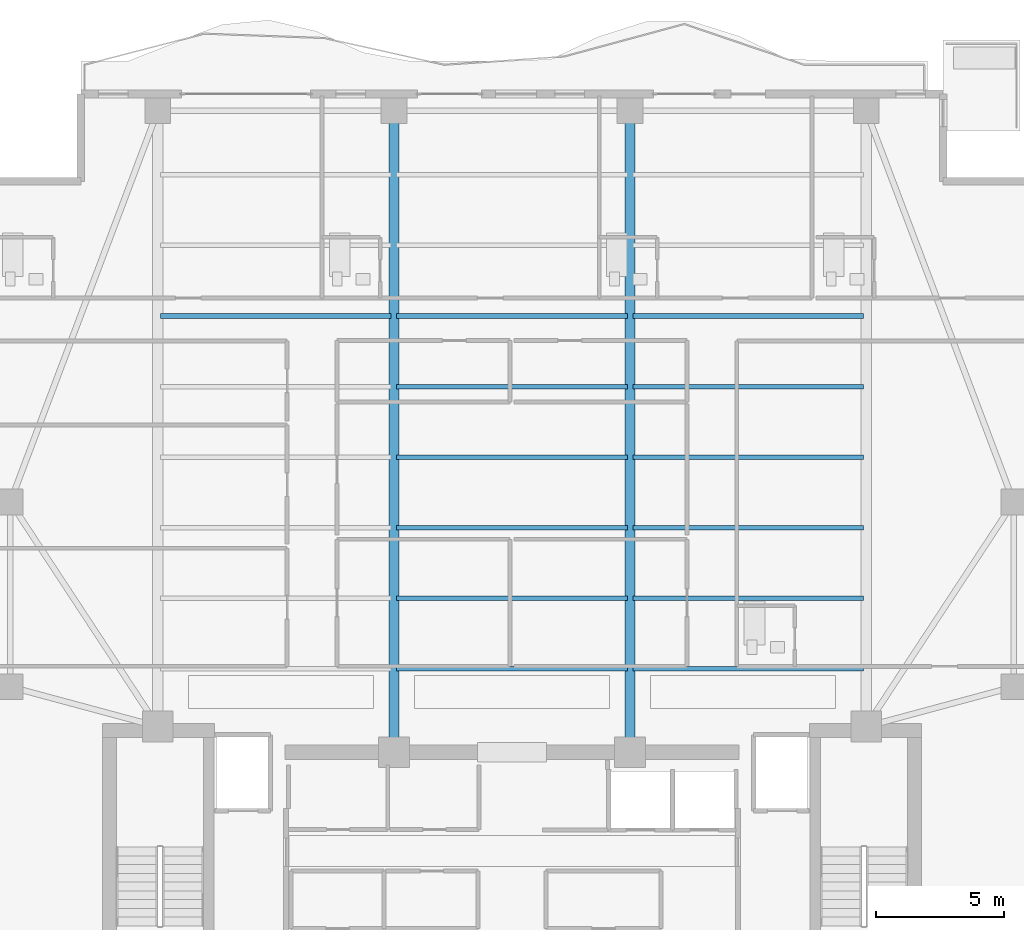
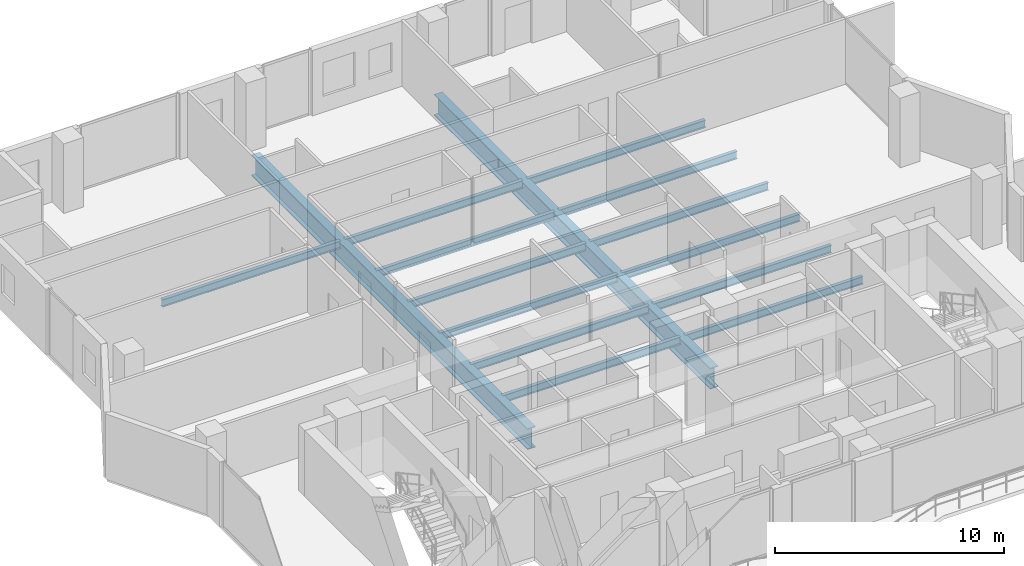
# One storey, part 7 of 23: 15 beams.
"""IFC4 building model written with IfcOpenShell, lengths in metres."""

from ifc_helpers import new_model, si_unit, direction, frame, origin, origin_2d, place, context, subcontext, project, spatial, i_section, extrude, material, material_profile, profile_set, type_object, element, save


model = new_model("IFC4")

# Units and contexts
model_context = context("Model", 3, precision=1e-05, world=origin(), true_north=direction((0.0, 1.0)))
body_context = subcontext(model_context, "Body", "Model", "MODEL_VIEW")
ifc_project = project(units=[si_unit("LENGTHUNIT", "METRE"), si_unit("AREAUNIT", "SQUARE_METRE"), si_unit("VOLUMEUNIT", "CUBIC_METRE"), si_unit("PLANEANGLEUNIT", "RADIAN"), si_unit("MASSUNIT", "GRAM", prefix="KILO")], contexts=[model_context])

# Site, building, storey
site_placement = place(None, origin())
site = spatial("IfcSite", under=ifc_project, at=site_placement, CompositionType="ELEMENT")
building_placement = place(site_placement, origin())
building = spatial("IfcBuilding", under=site, at=building_placement, Name="Zuhayl Quay Hotel", CompositionType="ELEMENT")
storey_placement = place(building_placement, frame((0.0, 0.0, 265.550048828125)))
storey = spatial("IfcBuildingStorey", under=building, at=storey_placement, Name="L67", CompositionType="ELEMENT", Elevation=265.550048828125)

# Beams
ifc_material_1 = material(Name="Steel ASTM A992 Grade 50", Category="steel")
ifc_material_profile_1 = material_profile(ifc_material_1, i_section(OverallWidth=0.177978515625, OverallDepth=0.404052734375, WebThickness=0.007568359375, FlangeThickness=0.010986328125, at=origin_2d()), Name="W16X36")
ifc_profile_set_1 = profile_set([ifc_material_profile_1], Name="Steel ASTM A992 Grade 50")
beam_type_1 = type_object("IfcBeamType", Name="BM_J3_W16X36", PredefinedType="JOIST", material=ifc_profile_set_1)
beam_1_placement = place(storey_placement, frame((-4.493896484375, 16.60009765625, -0.422119140625), z_axis=(1.0, 0.0, 0.0), x_axis=(0.0, 1.0, 0.0)))
element("IfcBeam", 1, at=beam_1_placement, inside=storey, type_object=beam_type_1, Name="L67 Floor Beam FJ_L67_1_2", PredefinedType="JOIST", context=body_context, shape_type="SweptSolid", body=[
    extrude(i_section(OverallWidth=0.177978515625, OverallDepth=0.404052734375, WebThickness=0.007568359375, FlangeThickness=0.010986328125, at=origin_2d()), origin(), (0.0, 0.0, 1.0), 8.98779296875),
])
beam_2_placement = place(storey_placement, frame((4.7060546875, 16.60009765625, -0.422119140625), z_axis=(1.0, 0.0, 0.0), x_axis=(0.0, 1.0, 0.0)))
element("IfcBeam", 2, at=beam_2_placement, inside=storey, type_object=beam_type_1, Name="L67 Floor Beam FJ_L67_1_3", PredefinedType="JOIST", context=body_context, shape_type="SweptSolid", body=[
    extrude(i_section(OverallWidth=0.177978515625, OverallDepth=0.404052734375, WebThickness=0.007568359375, FlangeThickness=0.010986328125, at=origin_2d()), origin(), (0.0, 0.0, 1.0), 8.988037109375),
])
beam_3_placement = place(storey_placement, frame((-4.493896484375, 19.35009765625, -0.422119140625), z_axis=(1.0, 0.0, 0.0), x_axis=(0.0, 1.0, 0.0)))
element("IfcBeam", 3, at=beam_3_placement, inside=storey, type_object=beam_type_1, Name="L67 Floor Beam FJ_L67_2_2", PredefinedType="JOIST", context=body_context, shape_type="SweptSolid", body=[
    extrude(i_section(OverallWidth=0.177978515625, OverallDepth=0.404052734375, WebThickness=0.007568359375, FlangeThickness=0.010986328125, at=origin_2d()), origin(), (0.0, 0.0, 1.0), 8.98779296875),
])
beam_4_placement = place(storey_placement, frame((4.7060546875, 19.35009765625, -0.422119140625), z_axis=(1.0, 0.0, 0.0), x_axis=(0.0, 1.0, 0.0)))
element("IfcBeam", 4, at=beam_4_placement, inside=storey, type_object=beam_type_1, Name="L67 Floor Beam FJ_L67_2_3", PredefinedType="JOIST", context=body_context, shape_type="SweptSolid", body=[
    extrude(i_section(OverallWidth=0.177978515625, OverallDepth=0.404052734375, WebThickness=0.007568359375, FlangeThickness=0.010986328125, at=origin_2d()), origin(), (0.0, 0.0, 1.0), 8.988037109375),
])
beam_5_placement = place(storey_placement, frame((-4.493896484375, 22.10009765625, -0.422119140625), z_axis=(1.0, 0.0, 0.0), x_axis=(0.0, 1.0, 0.0)))
element("IfcBeam", 5, at=beam_5_placement, inside=storey, type_object=beam_type_1, Name="L67 Floor Beam FJ_L67_3_2", PredefinedType="JOIST", context=body_context, shape_type="SweptSolid", body=[
    extrude(i_section(OverallWidth=0.177978515625, OverallDepth=0.404052734375, WebThickness=0.007568359375, FlangeThickness=0.010986328125, at=origin_2d()), origin(), (0.0, 0.0, 1.0), 8.98779296875),
])
beam_6_placement = place(storey_placement, frame((4.7060546875, 22.10009765625, -0.422119140625), z_axis=(1.0, 0.0, 0.0), x_axis=(0.0, 1.0, 0.0)))
element("IfcBeam", 6, at=beam_6_placement, inside=storey, type_object=beam_type_1, Name="L67 Floor Beam FJ_L67_3_3", PredefinedType="JOIST", context=body_context, shape_type="SweptSolid", body=[
    extrude(i_section(OverallWidth=0.177978515625, OverallDepth=0.404052734375, WebThickness=0.007568359375, FlangeThickness=0.010986328125, at=origin_2d()), origin(), (0.0, 0.0, 1.0), 8.988037109375),
])
beam_7_placement = place(storey_placement, frame((-4.493896484375, 24.85009765625, -0.422119140625), z_axis=(1.0, 0.0, 0.0), x_axis=(0.0, 1.0, 0.0)))
element("IfcBeam", 7, at=beam_7_placement, inside=storey, type_object=beam_type_1, Name="L67 Floor Beam FJ_L67_4_2", PredefinedType="JOIST", context=body_context, shape_type="SweptSolid", body=[
    extrude(i_section(OverallWidth=0.177978515625, OverallDepth=0.404052734375, WebThickness=0.007568359375, FlangeThickness=0.010986328125, at=origin_2d()), origin(), (0.0, 0.0, 1.0), 8.98779296875),
])
beam_8_placement = place(storey_placement, frame((4.7060546875, 24.85009765625, -0.422119140625), z_axis=(1.0, 0.0, 0.0), x_axis=(0.0, 1.0, 0.0)))
element("IfcBeam", 8, at=beam_8_placement, inside=storey, type_object=beam_type_1, Name="L67 Floor Beam FJ_L67_4_3", PredefinedType="JOIST", context=body_context, shape_type="SweptSolid", body=[
    extrude(i_section(OverallWidth=0.177978515625, OverallDepth=0.404052734375, WebThickness=0.007568359375, FlangeThickness=0.010986328125, at=origin_2d()), origin(), (0.0, 0.0, 1.0), 8.988037109375),
])
beam_9_placement = place(storey_placement, frame((-4.493896484375, 27.60009765625, -0.422119140625), z_axis=(1.0, 0.0, 0.0), x_axis=(0.0, 1.0, 0.0)))
element("IfcBeam", 9, at=beam_9_placement, inside=storey, type_object=beam_type_1, Name="L67 Floor Beam FJ_L67_5_2", PredefinedType="JOIST", context=body_context, shape_type="SweptSolid", body=[
    extrude(i_section(OverallWidth=0.177978515625, OverallDepth=0.404052734375, WebThickness=0.007568359375, FlangeThickness=0.010986328125, at=origin_2d()), origin(), (0.0, 0.0, 1.0), 8.98779296875),
])
for number, where, z_axis, x_axis, name in (
    (10, (4.7060546875, 27.60009765625, -0.422119140625), (1.0, 0.0, 0.0), (0.0, 1.0, 0.0), "L67 Floor Beam FJ_L67_5_3"),
    (11, (-13.694091796875, 30.35009765625, -0.422119140625), (1.0, 0.0, 0.0), (0.0, 1.0, 0.0), "L67 Floor Beam FJ_L67_6_1"),
):
    element("IfcBeam", number, at=place(storey_placement, frame(where, z_axis=z_axis, x_axis=x_axis)), inside=storey, type_object=beam_type_1, Name=name, PredefinedType="JOIST", context=body_context, shape_type="SweptSolid", body=[
        extrude(i_section(OverallWidth=0.177978515625, OverallDepth=0.404052734375, WebThickness=0.007568359375, FlangeThickness=0.010986328125, at=origin_2d()), origin(), (0.0, 0.0, 1.0), 8.988037109375),
    ])
beam_10_placement = place(storey_placement, frame((-4.493896484375, 30.35009765625, -0.422119140625), z_axis=(1.0, 0.0, 0.0), x_axis=(0.0, 1.0, 0.0)))
element("IfcBeam", 12, at=beam_10_placement, inside=storey, type_object=beam_type_1, Name="L67 Floor Beam FJ_L67_6_2", PredefinedType="JOIST", context=body_context, shape_type="SweptSolid", body=[
    extrude(i_section(OverallWidth=0.177978515625, OverallDepth=0.404052734375, WebThickness=0.007568359375, FlangeThickness=0.010986328125, at=origin_2d()), origin(), (0.0, 0.0, 1.0), 8.98779296875),
])
beam_11_placement = place(storey_placement, frame((4.7060546875, 30.35009765625, -0.422119140625), z_axis=(1.0, 0.0, 0.0), x_axis=(0.0, 1.0, 0.0)))
element("IfcBeam", 13, at=beam_11_placement, inside=storey, type_object=beam_type_1, Name="L67 Floor Beam FJ_L67_6_3", PredefinedType="JOIST", context=body_context, shape_type="SweptSolid", body=[
    extrude(i_section(OverallWidth=0.177978515625, OverallDepth=0.404052734375, WebThickness=0.007568359375, FlangeThickness=0.010986328125, at=origin_2d()), origin(), (0.0, 0.0, 1.0), 8.988037109375),
])
ifc_material_2 = material(Name="Steel ASTM A913 Grade 65", Category="steel")
ifc_material_profile_2 = material_profile(ifc_material_2, i_section(OverallWidth=0.404052734375, OverallDepth=1.117919921875, WebThickness=0.026123046875, FlangeThickness=0.044921875, at=origin_2d()), Name="W44X335")
ifc_profile_set_2 = profile_set([ifc_material_profile_2], Name="Steel ASTM A913 Grade 65")
beam_type_2 = type_object("IfcBeamType", Name="BM_TG1_W44X335", PredefinedType="BEAM", material=ifc_profile_set_2)
for number, where, z_axis, x_axis, name in (
    (14, (-4.60009765625, 13.800048828125, -0.779052734375), (0.0, 1.0, 0.0), (-1.0, 0.0, 0.0), "L67 Floor Beam FG_N_L67_2"),
    (15, (4.60009765625, 13.800048828125, -0.779052734375), (0.0, 1.0, 0.0), (-1.0, 0.0, 0.0), "L67 Floor Beam FG_N_L67_3"),
):
    element("IfcBeam", number, at=place(storey_placement, frame(where, z_axis=z_axis, x_axis=x_axis)), inside=storey, type_object=beam_type_2, Name=name, PredefinedType="BEAM", context=body_context, shape_type="SweptSolid", body=[
        extrude(i_section(OverallWidth=0.404052734375, OverallDepth=1.117919921875, WebThickness=0.026123046875, FlangeThickness=0.044921875, at=origin_2d()), origin(), (0.0, 0.0, 1.0), 24.08984375),
    ])

save(model, "model.ifc")
